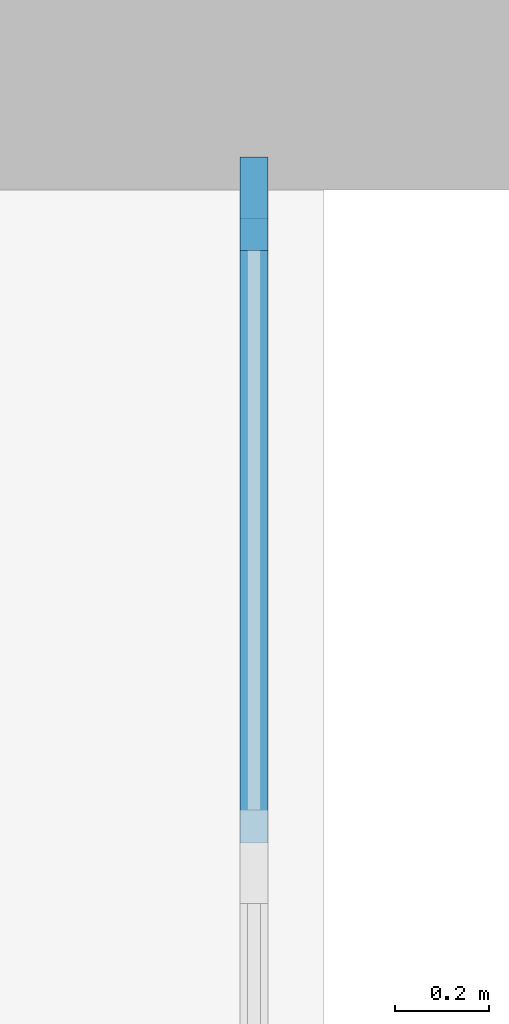
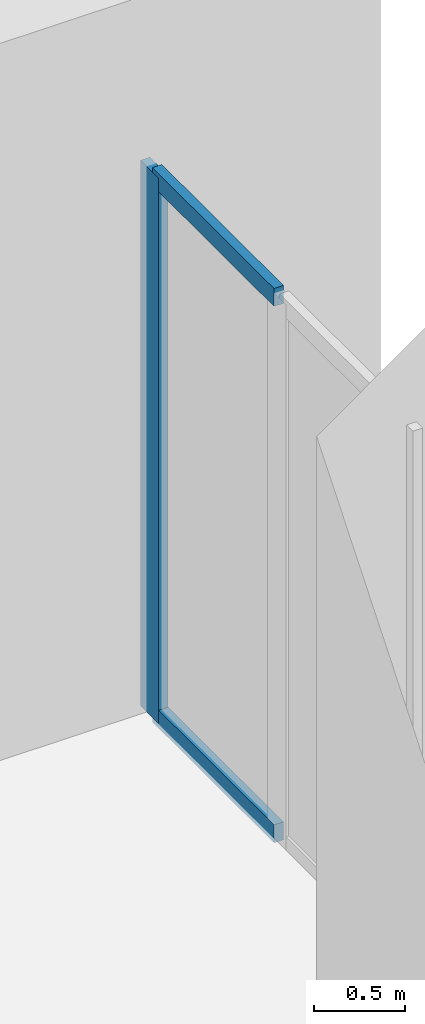
# One storey, part 6 of 49: 3 members, 1 element without a shape of its own.
"""IFC4 building model written with IfcOpenShell, lengths in metres."""

import ifcopenshell
import ifcopenshell.guid

model = None  # the IFC model being written
_history = None  # IfcOwnerHistory: only IFC2X3 demands one
_inside = {}  # id of a spatial element -> (the spatial element, [elements in it])
_under = {}  # id of a project, library or spatial element -> (it, [spatial elements below it])
_declared = {}  # id of a project -> (the project, [libraries it declares])
_typed = {}  # id of a type object -> (the type object, [elements of that type])
_made_of = {}  # id of a material, layer set ... -> (it, [elements and type objects made of it])


def new_model(schema):
    """Start an empty IFC model of exactly this schema.

    Asked for "IFC4X3", IfcOpenShell would pick the latest addendum, in which some entities
    have other attributes; the version numbers below select the first issue.
    IFC2X3 requires an IfcOwnerHistory on every rooted entity: one is made here for all.
    """
    global model, _history
    if schema == "IFC4X3":
        model = ifcopenshell.file(schema_version=(4, 3, 0, 0))
    else:
        model = ifcopenshell.file(schema=schema)
    _inside.clear()
    _under.clear()
    _declared.clear()
    _typed.clear()
    _made_of.clear()
    _history = None
    if model.schema == "IFC2X3":
        org = make("IfcOrganization", Name="unknown")
        user = make(
            "IfcPersonAndOrganization",
            ThePerson=make("IfcPerson", FamilyName="unknown"),
            TheOrganization=org,
        )
        app = make(
            "IfcApplication",
            ApplicationDeveloper=org,
            Version="unknown",
            ApplicationFullName="unknown",
            ApplicationIdentifier="unknown",
        )
        _history = make(
            "IfcOwnerHistory",
            OwningUser=user,
            OwningApplication=app,
            ChangeAction="ADDED",
            CreationDate=0,
        )
    return model


def make(cls, **values):
    """One entity of the class cls with the attributes given. An attribute that is None is left unset."""
    return model.create_entity(
        cls, **{name: value for name, value in values.items() if value is not None}
    )


def rooted(cls, **values):
    """An entity with a GlobalId (a new one), such as an element, a storey or a relation."""
    return make(cls, GlobalId=ifcopenshell.guid.new(), OwnerHistory=_history, **values)


def si_unit(unit_type, name, prefix=None):
    """IfcSIUnit, for example si_unit("LENGTHUNIT", "METRE", prefix="MILLI")."""
    return make("IfcSIUnit", UnitType=unit_type, Prefix=prefix, Name=name)


def assignment(units):
    """IfcUnitAssignment: the units of a project."""
    return None if units is None else make("IfcUnitAssignment", Units=units)


def point(xyz):
    """IfcCartesianPoint."""
    return None if xyz is None else make("IfcCartesianPoint", Coordinates=xyz)


def direction(xyz):
    """IfcDirection."""
    return None if xyz is None else make("IfcDirection", DirectionRatios=xyz)


def frame(location, z_axis=None, x_axis=None):
    """IfcAxis2Placement3D, a coordinate frame: its origin and axes. An axis left out is left unset."""
    return make(
        "IfcAxis2Placement3D",
        Location=point(location),
        Axis=direction(z_axis),
        RefDirection=direction(x_axis),
    )


def frame_2d(location, x_axis=None):
    """IfcAxis2Placement2D, a coordinate frame in the plane: its origin and x axis."""
    return make(
        "IfcAxis2Placement2D", Location=point(location), RefDirection=direction(x_axis)
    )


def origin():
    """The frame at (0, 0, 0) with its axes left unset."""
    return frame((0.0, 0.0, 0.0))


def origin_2d():
    """The frame at (0, 0) in the plane with its x axis left unset."""
    return frame_2d((0.0, 0.0))


def place(relative_to, where):
    """IfcLocalPlacement: puts the frame where relative to a parent placement (None: the world)."""
    return make(
        "IfcLocalPlacement", PlacementRelTo=relative_to, RelativePlacement=where
    )


def context(
    kind, dimensions, precision=None, world=None, true_north=None, identifier=None
):
    """IfcGeometricRepresentationContext, for example the 3D "Model" context."""
    return make(
        "IfcGeometricRepresentationContext",
        ContextIdentifier=identifier,
        ContextType=kind,
        CoordinateSpaceDimension=dimensions,
        Precision=precision,
        WorldCoordinateSystem=world,
        TrueNorth=true_north,
    )


def subcontext(parent, identifier, kind, view, scale=None):
    """IfcGeometricRepresentationSubContext, for example "Body" below "Model"."""
    return make(
        "IfcGeometricRepresentationSubContext",
        ContextIdentifier=identifier,
        ContextType=kind,
        ParentContext=parent,
        TargetScale=scale,
        TargetView=view,
    )


def project(units=None, contexts=None):
    """IfcProject with its units and contexts."""
    return rooted(
        "IfcProject",
        Name="project",
        RepresentationContexts=contexts,
        UnitsInContext=assignment(units),
    )


def spatial(cls, under=None, at=None, **own):
    """A site, building, storey or space (cls), placed at a placement, below another one or the project."""
    s = rooted(cls, ObjectPlacement=at, **own)
    if under is not None:
        _under.setdefault(under.id(), (under, []))[1].append(s)
    return s


def profile(cls, at=None, kind="AREA", **sizes):
    """A parametric profile (cls). Its sizes go by their IFC names, for example OverallWidth=200.0."""
    return make(cls, ProfileType=kind, Position=at, **sizes)


def rectangle(**sizes):
    """IfcRectangleProfileDef."""
    return profile("IfcRectangleProfileDef", **sizes)


def extrude(swept, where, along, depth):
    """IfcExtrudedAreaSolid: the profile swept, set in the frame where, extruded along a direction by depth."""
    return make(
        "IfcExtrudedAreaSolid",
        SweptArea=swept,
        Position=where,
        ExtrudedDirection=direction(along),
        Depth=depth,
    )


def shape(context_of_items, identifier, shape_type, items):
    """IfcShapeRepresentation: the items that make up one representation, for example the "Body"."""
    return make(
        "IfcShapeRepresentation",
        ContextOfItems=context_of_items,
        RepresentationIdentifier=identifier,
        RepresentationType=shape_type,
        Items=items,
    )


def material(Name=None, Category=None):
    """IfcMaterial."""
    return make("IfcMaterial", Name=Name, Category=Category)


def material_profile(
    of_material, cross_section, Name=None, Category=None, Priority=None
):
    """IfcMaterialProfile: a cross section and its material."""
    return make(
        "IfcMaterialProfile",
        Name=Name,
        Material=of_material,
        Profile=cross_section,
        Priority=Priority,
        Category=Category,
    )


def profile_set(profiles, Name=None, composite=None):
    """IfcMaterialProfileSet."""
    return make(
        "IfcMaterialProfileSet",
        Name=Name,
        MaterialProfiles=profiles,
        CompositeProfile=composite,
    )


def made_of(thing, what):
    """Note that an element or type object is made of a material, layer set ...; save() writes the relation."""
    if what is not None:
        _made_of.setdefault(what.id(), (what, []))[1].append(thing)
    return thing


def type_object(cls, material=None, **own):
    """A type object (cls), such as IfcWallType, which elements share."""
    return made_of(rooted(cls, **own), material)


def element(
    cls,
    number,
    at=None,
    inside=None,
    cuts=None,
    type_object=None,
    material=None,
    context=None,
    identifier="Body",
    shape_type=None,
    held_by="IfcProductDefinitionShape",
    body=None,
    shapes=None,
    **own,
):
    """One element of the class cls, such as IfcWall. Its Tag is "e" and its number.

    at: its placement. inside: the storey or other place that contains it. cuts: it is an
    opening in that element (IfcRelVoidsElement). A single representation is given by context,
    identifier, shape_type and body (its items); several are given by shapes. held_by: the class
    of the entity that holds the representations. save() writes the other relations.
    """
    e = rooted(cls, Tag="e%d" % number, ObjectPlacement=at, **own)
    if body is not None:
        shapes = [shape(context, identifier, shape_type, body)]
    if shapes is not None:
        e.Representation = make(held_by, Representations=shapes)
    if inside is not None:
        _inside.setdefault(inside.id(), (inside, []))[1].append(e)
    if cuts is not None:
        rooted(
            "IfcRelVoidsElement", RelatingBuildingElement=cuts, RelatedOpeningElement=e
        )
    if type_object is not None:
        _typed.setdefault(type_object.id(), (type_object, []))[1].append(e)
    return made_of(e, material)


def aggregate(whole, parts):
    """IfcRelAggregates: a whole, such as a stair, and the parts it consists of."""
    return rooted("IfcRelAggregates", RelatingObject=whole, RelatedObjects=parts)


def save(model, path):
    """Write the relations noted so far, then the file.

    IfcRelAggregates (storeys below a building ...), IfcRelContainedInSpatialStructure (elements
    in a storey), IfcRelDefinesByType, IfcRelAssociatesMaterial and IfcRelDeclares: one each for
    every whole, place, type object, material and project.
    """
    for whole, parts in _under.values():
        aggregate(whole, parts)
    for where, things in _inside.values():
        rooted(
            "IfcRelContainedInSpatialStructure",
            RelatedElements=things,
            RelatingStructure=where,
        )
    for kind, things in _typed.values():
        rooted("IfcRelDefinesByType", RelatedObjects=things, RelatingType=kind)
    for what, things in _made_of.values():
        rooted("IfcRelAssociatesMaterial", RelatedObjects=things, RelatingMaterial=what)
    for by, libraries in _declared.values():
        rooted("IfcRelDeclares", RelatingContext=by, RelatedDefinitions=libraries)
    model.write(path)


model = new_model("IFC4")

# Units and contexts
model_context = context("Model", 3, precision=1e-05, world=origin(), true_north=direction((0.0, 1.0)))
body_context = subcontext(model_context, "Body", "Model", "MODEL_VIEW")
ifc_project = project(units=[si_unit("LENGTHUNIT", "METRE"), si_unit("AREAUNIT", "SQUARE_METRE"), si_unit("VOLUMEUNIT", "CUBIC_METRE"), si_unit("PLANEANGLEUNIT", "RADIAN"), si_unit("MASSUNIT", "GRAM", prefix="KILO")], contexts=[model_context])

# Site, building, storey
site_placement = place(None, origin())
site = spatial("IfcSite", under=ifc_project, at=site_placement, CompositionType="ELEMENT")
building_placement = place(site_placement, origin())
building = spatial("IfcBuilding", under=site, at=building_placement, Name="Hunhe Ridgeline Campus", CompositionType="ELEMENT")
storey_placement = place(building_placement, frame((0.0, 0.0, 21.60009765625)))
storey = spatial("IfcBuildingStorey", under=building, at=storey_placement, Name="L04", CompositionType="ELEMENT", Elevation=21.60009765625)

# Curtain wall, members
ifc_material_1 = material(Name="Aluminium and glass", Category="aluminium")
curtain_wall_type = type_object("IfcCurtainWallType", Name="Podium curtain wall CW-2", PredefinedType="NOTDEFINED", material=ifc_material_1)
curtain_wall_placement = place(storey_placement, origin())
curtain_wall = element("IfcCurtainWall", 1, at=curtain_wall_placement, inside=storey, type_object=curtain_wall_type, Name="L04 podium curtain wall 8", PredefinedType="NOTDEFINED")
ifc_material_2 = material(Name="Aluminium", Category="aluminium")
ifc_material_profile_1 = material_profile(ifc_material_2, rectangle(XDim=0.06005859375, YDim=0.199951171875, at=origin_2d()))
ifc_profile_set_1 = profile_set([ifc_material_profile_1], Name="Aluminium")
member_type_1 = type_object("IfcMemberType", Name="CW-2 mullion 60x200", PredefinedType="MULLION", material=ifc_profile_set_1)
member_1_placement = place(storey_placement, frame((98.85009765625, 93.570068359375, 0.0), z_axis=(0.0, 0.0, 1.0), x_axis=(-1.0, 0.0, 0.0)))
member_1 = element("IfcMember", 2, at=member_1_placement, type_object=member_type_1, Name="CW2 mullion 3", PredefinedType="MULLION", context=body_context, shape_type="SweptSolid", body=[
    extrude(rectangle(XDim=0.06005859375, YDim=0.199951171875, at=origin_2d()), origin(), (0.0, 0.0, 1.0), 3.64990234375),
])
ifc_material_profile_2 = material_profile(ifc_material_2, rectangle(XDim=0.06005859375, YDim=0.1201171875, at=origin_2d()))
ifc_profile_set_2 = profile_set([ifc_material_profile_2], Name="Aluminium")
member_type_2 = type_object("IfcMemberType", Name="CW-2 transom 60x120", PredefinedType="USERDEFINED", material=ifc_profile_set_2)
member_2_placement = place(storey_placement, frame((98.85009765625, 92.205078125, 0.02978515625), z_axis=(0.0, 1.0, 0.0), x_axis=(-1.0, 0.0, 0.0)))
member_2 = element("IfcMember", 3, at=member_2_placement, type_object=member_type_2, Name="CW2 transom 2.1", ObjectType="TRANSOM", PredefinedType="USERDEFINED", context=body_context, shape_type="SweptSolid", body=[
    extrude(rectangle(XDim=0.06005859375, YDim=0.1201171875, at=origin_2d()), origin(), (0.0, 0.0, 1.0), 1.3349609375),
])
member_3_placement = place(storey_placement, frame((98.85009765625, 92.205078125, 3.619873046875), z_axis=(0.0, 1.0, 0.0), x_axis=(-1.0, 0.0, 0.0)))
member_3 = element("IfcMember", 4, at=member_3_placement, type_object=member_type_2, Name="CW2 transom 2.2", ObjectType="TRANSOM", PredefinedType="USERDEFINED", context=body_context, shape_type="SweptSolid", body=[
    extrude(rectangle(XDim=0.06005859375, YDim=0.1201171875, at=origin_2d()), origin(), (0.0, 0.0, 1.0), 1.3349609375),
])
aggregate(curtain_wall, [member_1, member_2, member_3])

save(model, "model.ifc")
